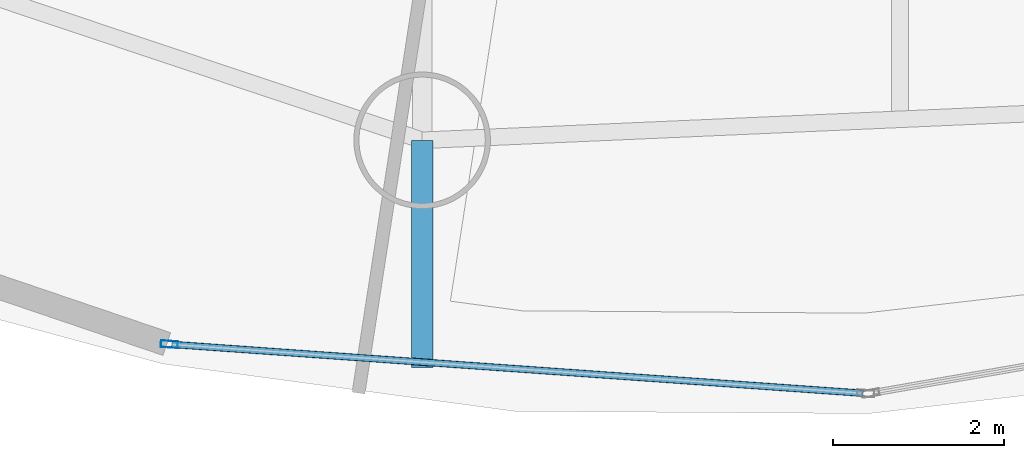
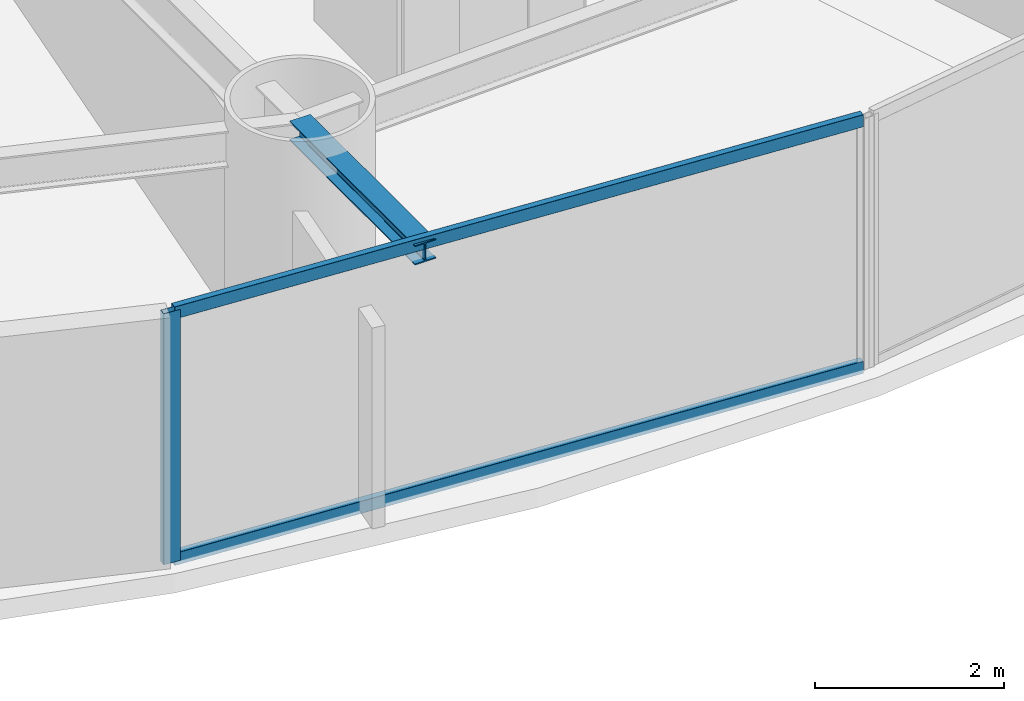
# One storey, part 2 of 27: 3 members, 1 beam, 1 element without a shape of its own.
"""IFC4 building model written with IfcOpenShell, lengths in metres."""

import ifcopenshell
import ifcopenshell.guid

model = None  # the IFC model being written
_history = None  # IfcOwnerHistory: only IFC2X3 demands one
_inside = {}  # id of a spatial element -> (the spatial element, [elements in it])
_under = {}  # id of a project, library or spatial element -> (it, [spatial elements below it])
_declared = {}  # id of a project -> (the project, [libraries it declares])
_typed = {}  # id of a type object -> (the type object, [elements of that type])
_made_of = {}  # id of a material, layer set ... -> (it, [elements and type objects made of it])


def new_model(schema):
    """Start an empty IFC model of exactly this schema.

    Asked for "IFC4X3", IfcOpenShell would pick the latest addendum, in which some entities
    have other attributes; the version numbers below select the first issue.
    IFC2X3 requires an IfcOwnerHistory on every rooted entity: one is made here for all.
    """
    global model, _history
    if schema == "IFC4X3":
        model = ifcopenshell.file(schema_version=(4, 3, 0, 0))
    else:
        model = ifcopenshell.file(schema=schema)
    _inside.clear()
    _under.clear()
    _declared.clear()
    _typed.clear()
    _made_of.clear()
    _history = None
    if model.schema == "IFC2X3":
        org = make("IfcOrganization", Name="unknown")
        user = make(
            "IfcPersonAndOrganization",
            ThePerson=make("IfcPerson", FamilyName="unknown"),
            TheOrganization=org,
        )
        app = make(
            "IfcApplication",
            ApplicationDeveloper=org,
            Version="unknown",
            ApplicationFullName="unknown",
            ApplicationIdentifier="unknown",
        )
        _history = make(
            "IfcOwnerHistory",
            OwningUser=user,
            OwningApplication=app,
            ChangeAction="ADDED",
            CreationDate=0,
        )
    return model


def make(cls, **values):
    """One entity of the class cls with the attributes given. An attribute that is None is left unset."""
    return model.create_entity(
        cls, **{name: value for name, value in values.items() if value is not None}
    )


def rooted(cls, **values):
    """An entity with a GlobalId (a new one), such as an element, a storey or a relation."""
    return make(cls, GlobalId=ifcopenshell.guid.new(), OwnerHistory=_history, **values)


def si_unit(unit_type, name, prefix=None):
    """IfcSIUnit, for example si_unit("LENGTHUNIT", "METRE", prefix="MILLI")."""
    return make("IfcSIUnit", UnitType=unit_type, Prefix=prefix, Name=name)


def assignment(units):
    """IfcUnitAssignment: the units of a project."""
    return None if units is None else make("IfcUnitAssignment", Units=units)


def point(xyz):
    """IfcCartesianPoint."""
    return None if xyz is None else make("IfcCartesianPoint", Coordinates=xyz)


def direction(xyz):
    """IfcDirection."""
    return None if xyz is None else make("IfcDirection", DirectionRatios=xyz)


def frame(location, z_axis=None, x_axis=None):
    """IfcAxis2Placement3D, a coordinate frame: its origin and axes. An axis left out is left unset."""
    return make(
        "IfcAxis2Placement3D",
        Location=point(location),
        Axis=direction(z_axis),
        RefDirection=direction(x_axis),
    )


def frame_2d(location, x_axis=None):
    """IfcAxis2Placement2D, a coordinate frame in the plane: its origin and x axis."""
    return make(
        "IfcAxis2Placement2D", Location=point(location), RefDirection=direction(x_axis)
    )


def origin():
    """The frame at (0, 0, 0) with its axes left unset."""
    return frame((0.0, 0.0, 0.0))


def origin_2d():
    """The frame at (0, 0) in the plane with its x axis left unset."""
    return frame_2d((0.0, 0.0))


def place(relative_to, where):
    """IfcLocalPlacement: puts the frame where relative to a parent placement (None: the world)."""
    return make(
        "IfcLocalPlacement", PlacementRelTo=relative_to, RelativePlacement=where
    )


def context(
    kind, dimensions, precision=None, world=None, true_north=None, identifier=None
):
    """IfcGeometricRepresentationContext, for example the 3D "Model" context."""
    return make(
        "IfcGeometricRepresentationContext",
        ContextIdentifier=identifier,
        ContextType=kind,
        CoordinateSpaceDimension=dimensions,
        Precision=precision,
        WorldCoordinateSystem=world,
        TrueNorth=true_north,
    )


def subcontext(parent, identifier, kind, view, scale=None):
    """IfcGeometricRepresentationSubContext, for example "Body" below "Model"."""
    return make(
        "IfcGeometricRepresentationSubContext",
        ContextIdentifier=identifier,
        ContextType=kind,
        ParentContext=parent,
        TargetScale=scale,
        TargetView=view,
    )


def project(units=None, contexts=None):
    """IfcProject with its units and contexts."""
    return rooted(
        "IfcProject",
        Name="project",
        RepresentationContexts=contexts,
        UnitsInContext=assignment(units),
    )


def spatial(cls, under=None, at=None, **own):
    """A site, building, storey or space (cls), placed at a placement, below another one or the project."""
    s = rooted(cls, ObjectPlacement=at, **own)
    if under is not None:
        _under.setdefault(under.id(), (under, []))[1].append(s)
    return s


def profile(cls, at=None, kind="AREA", **sizes):
    """A parametric profile (cls). Its sizes go by their IFC names, for example OverallWidth=200.0."""
    return make(cls, ProfileType=kind, Position=at, **sizes)


def hollow_rectangle(**sizes):
    """IfcRectangleHollowProfileDef."""
    return profile("IfcRectangleHollowProfileDef", **sizes)


def i_section(**sizes):
    """IfcIShapeProfileDef."""
    return profile("IfcIShapeProfileDef", **sizes)


def extrude(swept, where, along, depth):
    """IfcExtrudedAreaSolid: the profile swept, set in the frame where, extruded along a direction by depth."""
    return make(
        "IfcExtrudedAreaSolid",
        SweptArea=swept,
        Position=where,
        ExtrudedDirection=direction(along),
        Depth=depth,
    )


def shape(context_of_items, identifier, shape_type, items):
    """IfcShapeRepresentation: the items that make up one representation, for example the "Body"."""
    return make(
        "IfcShapeRepresentation",
        ContextOfItems=context_of_items,
        RepresentationIdentifier=identifier,
        RepresentationType=shape_type,
        Items=items,
    )


def material(Name=None, Category=None):
    """IfcMaterial."""
    return make("IfcMaterial", Name=Name, Category=Category)


def layer(
    of_material, thickness, ventilated=None, Name=None, Category=None, Priority=None
):
    """IfcMaterialLayer: one layer of a wall or slab, of a material (None: an air gap)."""
    return make(
        "IfcMaterialLayer",
        Material=of_material,
        LayerThickness=thickness,
        IsVentilated=ventilated,
        Name=Name,
        Category=Category,
        Priority=Priority,
    )


def layer_set(layers, Name=None):
    """IfcMaterialLayerSet."""
    return make("IfcMaterialLayerSet", MaterialLayers=layers, LayerSetName=Name)


def material_profile(
    of_material, cross_section, Name=None, Category=None, Priority=None
):
    """IfcMaterialProfile: a cross section and its material."""
    return make(
        "IfcMaterialProfile",
        Name=Name,
        Material=of_material,
        Profile=cross_section,
        Priority=Priority,
        Category=Category,
    )


def profile_set(profiles, Name=None, composite=None):
    """IfcMaterialProfileSet."""
    return make(
        "IfcMaterialProfileSet",
        Name=Name,
        MaterialProfiles=profiles,
        CompositeProfile=composite,
    )


def made_of(thing, what):
    """Note that an element or type object is made of a material, layer set ...; save() writes the relation."""
    if what is not None:
        _made_of.setdefault(what.id(), (what, []))[1].append(thing)
    return thing


def type_object(cls, material=None, **own):
    """A type object (cls), such as IfcWallType, which elements share."""
    return made_of(rooted(cls, **own), material)


def element(
    cls,
    number,
    at=None,
    inside=None,
    cuts=None,
    type_object=None,
    material=None,
    context=None,
    identifier="Body",
    shape_type=None,
    held_by="IfcProductDefinitionShape",
    body=None,
    shapes=None,
    **own,
):
    """One element of the class cls, such as IfcWall. Its Tag is "e" and its number.

    at: its placement. inside: the storey or other place that contains it. cuts: it is an
    opening in that element (IfcRelVoidsElement). A single representation is given by context,
    identifier, shape_type and body (its items); several are given by shapes. held_by: the class
    of the entity that holds the representations. save() writes the other relations.
    """
    e = rooted(cls, Tag="e%d" % number, ObjectPlacement=at, **own)
    if body is not None:
        shapes = [shape(context, identifier, shape_type, body)]
    if shapes is not None:
        e.Representation = make(held_by, Representations=shapes)
    if inside is not None:
        _inside.setdefault(inside.id(), (inside, []))[1].append(e)
    if cuts is not None:
        rooted(
            "IfcRelVoidsElement", RelatingBuildingElement=cuts, RelatedOpeningElement=e
        )
    if type_object is not None:
        _typed.setdefault(type_object.id(), (type_object, []))[1].append(e)
    return made_of(e, material)


def aggregate(whole, parts):
    """IfcRelAggregates: a whole, such as a stair, and the parts it consists of."""
    return rooted("IfcRelAggregates", RelatingObject=whole, RelatedObjects=parts)


def save(model, path):
    """Write the relations noted so far, then the file.

    IfcRelAggregates (storeys below a building ...), IfcRelContainedInSpatialStructure (elements
    in a storey), IfcRelDefinesByType, IfcRelAssociatesMaterial and IfcRelDeclares: one each for
    every whole, place, type object, material and project.
    """
    for whole, parts in _under.values():
        aggregate(whole, parts)
    for where, things in _inside.values():
        rooted(
            "IfcRelContainedInSpatialStructure",
            RelatedElements=things,
            RelatingStructure=where,
        )
    for kind, things in _typed.values():
        rooted("IfcRelDefinesByType", RelatedObjects=things, RelatingType=kind)
    for what, things in _made_of.values():
        rooted("IfcRelAssociatesMaterial", RelatedObjects=things, RelatingMaterial=what)
    for by, libraries in _declared.values():
        rooted("IfcRelDeclares", RelatingContext=by, RelatedDefinitions=libraries)
    model.write(path)


model = new_model("IFC4")

# Units and contexts
model_context = context("Model", 3, precision=1e-05, world=origin(), true_north=direction((0.0, 1.0)))
body_context = subcontext(model_context, "Body", "Model", "MODEL_VIEW")
ifc_project = project(units=[si_unit("LENGTHUNIT", "METRE"), si_unit("AREAUNIT", "SQUARE_METRE"), si_unit("VOLUMEUNIT", "CUBIC_METRE"), si_unit("PLANEANGLEUNIT", "RADIAN"), si_unit("MASSUNIT", "GRAM", prefix="KILO")], contexts=[model_context])

# Site, building, storey
site_placement = place(None, origin())
site = spatial("IfcSite", under=ifc_project, at=site_placement, CompositionType="ELEMENT")
building_placement = place(site_placement, origin())
building = spatial("IfcBuilding", under=site, at=building_placement, Name="Bramvorn Convention Spire", CompositionType="ELEMENT")
storey_placement = place(building_placement, frame((0.0, 0.0, 79.89990234375)))
storey = spatial("IfcBuildingStorey", under=building, at=storey_placement, Name="L18", CompositionType="ELEMENT", Elevation=79.89990234375)

# Beam
ifc_material_1 = material(Name="Steel CSA G40.21 Grade 350 (350W)", Category="steel")
ifc_material_profile_1 = material_profile(ifc_material_1, i_section(OverallWidth=0.25390625, OverallDepth=0.2529296875, WebThickness=0.008544921875, FlangeThickness=0.01416015625, FilletRadius=0.011962890625, at=origin_2d()))
ifc_profile_set_1 = profile_set([ifc_material_profile_1], Name="Steel CSA G40.21 Grade 350 (350W) - W250X73")
beam_type = type_object("IfcBeamType", Name="BM-W250X73", PredefinedType="BEAM", material=ifc_profile_set_1)
beam_placement = place(storey_placement, frame((35.0390625, 4.93115234375, 3.12353515625), z_axis=(0.0, -1.0, 0.0), x_axis=(1.0, 0.0, 0.0)))
element("IfcBeam", 1, at=beam_placement, inside=storey, type_object=beam_type, Name="L18 slab-edge cantilever tip beam MC13", PredefinedType="BEAM", context=body_context, shape_type="SweptSolid", body=[
    extrude(i_section(OverallWidth=0.25390625, OverallDepth=0.2529296875, WebThickness=0.008544921875, FlangeThickness=0.01416015625, FilletRadius=0.011962890625, at=origin_2d()), origin(), (0.0, 0.0, 1.0), 2.661865234375),
])

# Curtain wall, members
ifc_material_2 = material(Name="Anodised Bronze Unitised Curtain Wall", Category="aluminium")
ifc_layer = layer(ifc_material_2, 0.179931640625)
ifc_layer_set = layer_set([ifc_layer], Name="Anodised Bronze Unitised Curtain Wall - CW-HTL-FRIT")
curtain_wall_type = type_object("IfcCurtainWallType", Name="CW-HTL-FRIT", PredefinedType="USERDEFINED", material=ifc_layer_set)
curtain_wall_placement = place(storey_placement, origin())
curtain_wall = element("IfcCurtainWall", 2, at=curtain_wall_placement, inside=storey, type_object=curtain_wall_type, Name="L18 fritted glass curtain wall 19", ObjectType="UNITISED CURTAIN WALL", PredefinedType="USERDEFINED")
ifc_material_3 = material(Name="Anodised Bronze Aluminium 6063-T6", Category="aluminium")
ifc_material_profile_2 = material_profile(ifc_material_3, hollow_rectangle(XDim=0.080078125, YDim=0.199951171875, WallThickness=0.00390625, InnerFilletRadius=0.0009765625, OuterFilletRadius=0.00390625, at=origin_2d()))
ifc_profile_set_2 = profile_set([ifc_material_profile_2], Name="Anodised Bronze Aluminium 6063-T6 - CWM80X200")
member_type_1 = type_object("IfcMemberType", Name="CW-MUL-180", PredefinedType="MULLION", material=ifc_profile_set_2)
member_1_placement = place(storey_placement, frame((32.076171875, 2.54150390625, 0.0), z_axis=(0.0, 0.0, 1.0), x_axis=(-0.070497687458, -0.997511942817, 0.0)))
member_1 = element("IfcMember", 3, at=member_1_placement, type_object=member_type_1, Name="CW2 mullion 2", PredefinedType="MULLION", context=body_context, shape_type="SweptSolid", body=[
    extrude(hollow_rectangle(XDim=0.080078125, YDim=0.199951171875, WallThickness=0.00390625, InnerFilletRadius=0.0009765625, OuterFilletRadius=0.00390625, at=origin_2d()), origin(), (0.0, 0.0, 1.0), 3.25),
])
ifc_material_profile_3 = material_profile(ifc_material_3, hollow_rectangle(XDim=0.080078125, YDim=0.159912109375, WallThickness=0.00390625, InnerFilletRadius=0.0009765625, OuterFilletRadius=0.00390625, at=origin_2d()))
ifc_profile_set_3 = profile_set([ifc_material_profile_3], Name="Anodised Bronze Aluminium 6063-T6 - CWT80X160")
member_type_2 = type_object("IfcMemberType", Name="CW-TRN-150", PredefinedType="USERDEFINED", material=ifc_profile_set_3)
member_2_placement = place(storey_placement, frame((40.207275390625, 1.966796875, 0.030029296875), z_axis=(-0.997512280308, 0.070492911953, 0.0), x_axis=(-0.070492911953, -0.997512280308, 0.0)))
member_2 = element("IfcMember", 4, at=member_2_placement, type_object=member_type_2, Name="CW2 transom 1.1", ObjectType="TRANSOM", PredefinedType="USERDEFINED", context=body_context, shape_type="SweptSolid", body=[
    extrude(hollow_rectangle(XDim=0.080078125, YDim=0.159912109375, WallThickness=0.00390625, InnerFilletRadius=0.0009765625, OuterFilletRadius=0.00390625, at=origin_2d()), origin(), (0.0, 0.0, 1.0), 8.12158203125),
])
member_3_placement = place(storey_placement, frame((40.207275390625, 1.966796875, 3.22021484375), z_axis=(-0.997512280308, 0.070492911953, 0.0), x_axis=(-0.070492911953, -0.997512280308, 0.0)))
member_3 = element("IfcMember", 5, at=member_3_placement, type_object=member_type_2, Name="CW2 transom 1.2", ObjectType="TRANSOM", PredefinedType="USERDEFINED", context=body_context, shape_type="SweptSolid", body=[
    extrude(hollow_rectangle(XDim=0.080078125, YDim=0.159912109375, WallThickness=0.00390625, InnerFilletRadius=0.0009765625, OuterFilletRadius=0.00390625, at=origin_2d()), origin(), (0.0, 0.0, 1.0), 8.12158203125),
])
aggregate(curtain_wall, [member_1, member_2, member_3])

save(model, "model.ifc")
